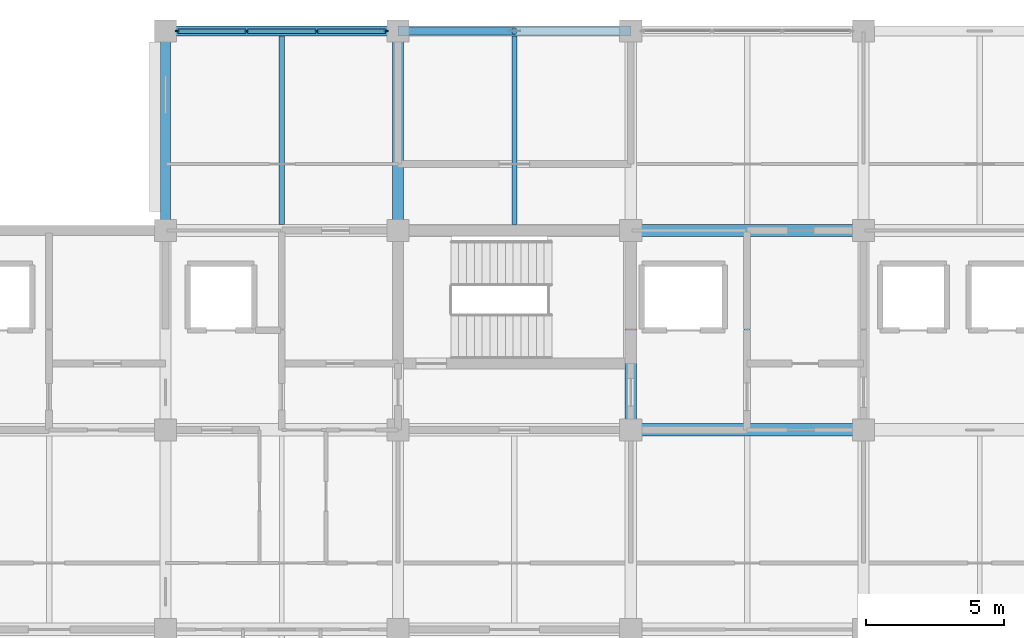
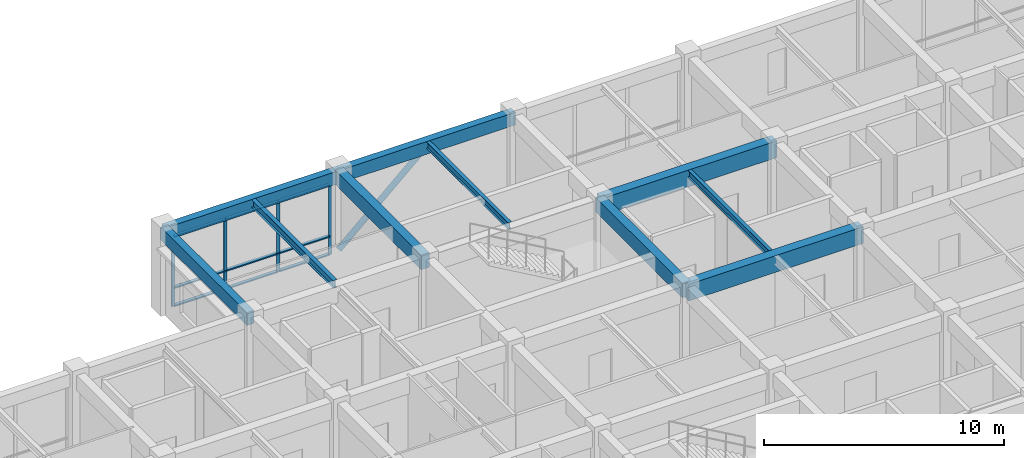
# One storey, part 10 of 40: 14 members, 10 beams, 1 element without a shape of its own.
"""IFC4 building model written with IfcOpenShell, lengths in metres."""

from ifc_helpers import new_model, si_unit, direction, frame, origin, origin_2d, place, context, subcontext, project, spatial, rectangle, hollow_circle, i_section, extrude, material, layer, layer_set, material_profile, profile_set, type_object, element, aggregate, save


model = new_model("IFC4")

# Units and contexts
model_context = context("Model", 3, precision=1e-05, world=origin(), true_north=direction((0.0, 1.0)))
body_context = subcontext(model_context, "Body", "Model", "MODEL_VIEW")
ifc_project = project(units=[si_unit("LENGTHUNIT", "METRE"), si_unit("AREAUNIT", "SQUARE_METRE"), si_unit("VOLUMEUNIT", "CUBIC_METRE"), si_unit("PLANEANGLEUNIT", "RADIAN"), si_unit("MASSUNIT", "GRAM", prefix="KILO")], contexts=[model_context])

# Site, building, storey
site_placement = place(None, origin())
site = spatial("IfcSite", under=ifc_project, at=site_placement, CompositionType="ELEMENT")
building_placement = place(site_placement, origin())
building = spatial("IfcBuilding", under=site, at=building_placement, Name="Chengyuan Square Courthouse", CompositionType="ELEMENT")
storey_placement = place(building_placement, frame((0.0, 0.0, 21.60009765625)))
storey = spatial("IfcBuildingStorey", under=building, at=storey_placement, Name="L05", CompositionType="ELEMENT", Elevation=21.60009765625)

# Beams
ifc_material_1 = material(Name="Concrete C40", Category="concrete")
ifc_material_profile_1 = material_profile(ifc_material_1, rectangle(XDim=0.449951171875, YDim=0.85009765625, at=origin_2d()), Name="RC-BM-450x850")
ifc_profile_set_1 = profile_set([ifc_material_profile_1], Name="Concrete C40")
beam_type_1 = type_object("IfcBeamType", Name="BM-01", PredefinedType="USERDEFINED", material=ifc_profile_set_1)
for number, where, z_axis, x_axis, name in (
    (1, (67.199951171875, 100.800048828125, 3.81494140625), (1.0, 0.0, 0.0), (0.0, 1.0, 0.0), "Girder BM-L05-3238"),
    (2, (67.199951171875, 108.0, 3.81494140625), (1.0, 0.0, 0.0), (0.0, 1.0, 0.0), "Girder BM-L05-3252"),
):
    element("IfcBeam", number, at=place(storey_placement, frame(where, z_axis=z_axis, x_axis=x_axis)), inside=storey, type_object=beam_type_1, Name=name, ObjectType="GIRDER", PredefinedType="USERDEFINED", context=body_context, shape_type="SweptSolid", body=[
        extrude(rectangle(XDim=0.449951171875, YDim=0.85009765625, at=origin_2d()), origin(), (0.0, 0.0, 1.0), 8.400146484375),
    ])
ifc_material_profile_2 = material_profile(ifc_material_1, rectangle(XDim=0.39990234375, YDim=0.75, at=origin_2d()), Name="RC-BM-400x750")
ifc_profile_set_2 = profile_set([ifc_material_profile_2], Name="Concrete C40")
beam_type_2 = type_object("IfcBeamType", Name="BM-02", PredefinedType="USERDEFINED", material=ifc_profile_set_2)
for number, where, z_axis, x_axis, name in (
    (3, (58.800048828125, 108.0, 3.864990234375), (0.0, 1.0, 0.0), (-1.0, 0.0, 0.0), "Girder BM-L05-3287"),
    (4, (67.199951171875, 100.800048828125, 3.864990234375), (0.0, 1.0, 0.0), (-1.0, 0.0, 0.0), "Girder BM-L05-3291"),
):
    element("IfcBeam", number, at=place(storey_placement, frame(where, z_axis=z_axis, x_axis=x_axis)), inside=storey, type_object=beam_type_2, Name=name, ObjectType="GIRDER", PredefinedType="USERDEFINED", context=body_context, shape_type="SweptSolid", body=[
        extrude(rectangle(XDim=0.39990234375, YDim=0.75, at=origin_2d()), origin(), (0.0, 0.0, 1.0), 7.199951171875),
    ])
ifc_material_profile_3 = material_profile(ifc_material_1, rectangle(XDim=0.35009765625, YDim=0.64990234375, at=origin_2d()), Name="RC-BM-350x650")
ifc_profile_set_3 = profile_set([ifc_material_profile_3], Name="Concrete C40")
beam_type_3 = type_object("IfcBeamType", Name="BM-03", PredefinedType="SPANDREL", material=ifc_profile_set_3)
beam_1_placement = place(storey_placement, frame((50.39990234375, 115.199951171875, 3.914794921875), z_axis=(1.0, 0.0, 0.0), x_axis=(0.0, 1.0, 0.0)))
element("IfcBeam", 5, at=beam_1_placement, inside=storey, type_object=beam_type_3, Name="Girder BM-L05-3261", PredefinedType="SPANDREL", context=body_context, shape_type="SweptSolid", body=[
    extrude(rectangle(XDim=0.35009765625, YDim=0.64990234375, at=origin_2d()), origin(), (0.0, 0.0, 1.0), 8.400146484375),
])
beam_2_placement = place(storey_placement, frame((58.800048828125, 115.199951171875, 3.914794921875), z_axis=(1.0, 0.0, 0.0), x_axis=(0.0, 1.0, 0.0)))
element("IfcBeam", 6, at=beam_2_placement, inside=storey, type_object=beam_type_3, Name="Girder BM-L05-3262", PredefinedType="SPANDREL", context=body_context, shape_type="SweptSolid", body=[
    extrude(rectangle(XDim=0.35009765625, YDim=0.64990234375, at=origin_2d()), origin(), (0.0, 0.0, 1.0), 8.39990234375),
])
beam_3_placement = place(storey_placement, frame((50.39990234375, 108.0, 3.914794921875), z_axis=(0.0, 1.0, 0.0), x_axis=(-1.0, 0.0, 0.0)))
element("IfcBeam", 7, at=beam_3_placement, inside=storey, type_object=beam_type_3, Name="Girder BM-L05-3282", PredefinedType="SPANDREL", context=body_context, shape_type="SweptSolid", body=[
    extrude(rectangle(XDim=0.35009765625, YDim=0.64990234375, at=origin_2d()), origin(), (0.0, 0.0, 1.0), 7.199951171875),
])
ifc_material_2 = material(Name="Steel Q355B", Category="steel")
ifc_material_profile_4 = material_profile(ifc_material_2, i_section(OverallWidth=0.199951171875, OverallDepth=0.39990234375, WebThickness=0.008056640625, FlangeThickness=0.012939453125, at=origin_2d()), Name="HN 400x200x8x13")
ifc_profile_set_4 = profile_set([ifc_material_profile_4], Name="Steel Q355B")
beam_type_4 = type_object("IfcBeamType", Name="BM-07", PredefinedType="BEAM", material=ifc_profile_set_4)
beam_4_placement = place(storey_placement, frame((54.60009765625, 108.22509765625, 4.039794921875), z_axis=(0.0, 1.0, 0.0), x_axis=(-1.0, 0.0, 0.0)))
element("IfcBeam", 8, at=beam_4_placement, inside=storey, type_object=beam_type_4, Name="Secondary Floor Beam SBM-L05-3347", PredefinedType="BEAM", context=body_context, shape_type="SweptSolid", body=[
    extrude(i_section(OverallWidth=0.199951171875, OverallDepth=0.39990234375, WebThickness=0.008056640625, FlangeThickness=0.012939453125, at=origin_2d()), origin(), (0.0, 0.0, 1.0), 6.7998046875),
])
ifc_material_profile_5 = material_profile(ifc_material_2, i_section(OverallWidth=0.175048828125, OverallDepth=0.35009765625, WebThickness=0.007080078125, FlangeThickness=0.010986328125, at=origin_2d()), Name="HN 350x175x7x11")
ifc_profile_set_5 = profile_set([ifc_material_profile_5], Name="Steel Q355B")
beam_type_5 = type_object("IfcBeamType", Name="BM-08", PredefinedType="BEAM", material=ifc_profile_set_5)
beam_5_placement = place(storey_placement, frame((63.0, 108.22509765625, 4.06494140625), z_axis=(0.0, 1.0, 0.0), x_axis=(-1.0, 0.0, 0.0)))
element("IfcBeam", 9, at=beam_5_placement, inside=storey, type_object=beam_type_5, Name="Secondary Floor Beam SBM-L05-3350", PredefinedType="BEAM", context=body_context, shape_type="SweptSolid", body=[
    extrude(i_section(OverallWidth=0.175048828125, OverallDepth=0.35009765625, WebThickness=0.007080078125, FlangeThickness=0.010986328125, at=origin_2d()), origin(), (0.0, 0.0, 1.0), 6.7998046875),
])
beam_6_placement = place(storey_placement, frame((71.39990234375, 101.02490234375, 4.06494140625), z_axis=(0.0, 1.0, 0.0), x_axis=(-1.0, 0.0, 0.0)))
element("IfcBeam", 10, at=beam_6_placement, inside=storey, type_object=beam_type_5, Name="Secondary Floor Beam SBM-L05-3353", PredefinedType="BEAM", context=body_context, shape_type="SweptSolid", body=[
    extrude(i_section(OverallWidth=0.175048828125, OverallDepth=0.35009765625, WebThickness=0.007080078125, FlangeThickness=0.010986328125, at=origin_2d()), origin(), (0.0, 0.0, 1.0), 6.75),
])

# Member
ifc_material_profile_6 = material_profile(ifc_material_2, hollow_circle(Radius=0.136474609375, WallThickness=0.010009765625, at=origin_2d()), Name="CHS 273x10")
ifc_profile_set_6 = profile_set([ifc_material_profile_6], Name="Steel Q355B")
member_type_1 = type_object("IfcMemberType", Name="BR-01", PredefinedType="BRACE", material=ifc_profile_set_6)
member_1_placement = place(storey_placement, frame((58.800048828125, 115.199951171875, 0.099853515625), z_axis=(0.742407252639, 0.0, 0.669948857174), x_axis=(0.0, 1.0, 0.0)))
element("IfcMember", 11, at=member_1_placement, inside=storey, type_object=member_type_1, Name="Steel Chevron Brace BR-L05-017", PredefinedType="BRACE", context=body_context, shape_type="SweptSolid", body=[
    extrude(hollow_circle(Radius=0.136474609375, WallThickness=0.010009765625, at=origin_2d()), origin(), (0.0, 0.0, 1.0), 5.6572265625),
])

# Curtain wall, members
ifc_material_3 = material(Name="Unitised Aluminium and Triple Low-E Glass", Category="aluminium")
ifc_layer = layer(ifc_material_3, 0.159912109375)
ifc_layer_set = layer_set([ifc_layer], Name="Unitised Aluminium and Triple Low-E Glass")
curtain_wall_type = type_object("IfcCurtainWallType", Name="CW-13", PredefinedType="USERDEFINED", material=ifc_layer_set)
curtain_wall_placement = place(storey_placement, origin())
curtain_wall = element("IfcCurtainWall", 12, at=curtain_wall_placement, inside=storey, type_object=curtain_wall_type, Name="Unitised Curtain Wall CW-L05-169", ObjectType="UNITISED CURTAIN WALL", PredefinedType="USERDEFINED")
ifc_material_4 = material(Name="Aluminium 6063-T6 Frame", Category="aluminium")
ifc_material_profile_7 = material_profile(ifc_material_4, rectangle(XDim=0.06005859375, YDim=0.159912109375, at=origin_2d()), Name="CW-MUL-60x160")
ifc_profile_set_7 = profile_set([ifc_material_profile_7], Name="Aluminium 6063-T6 Frame")
member_type_2 = type_object("IfcMemberType", Name="CWM-01", PredefinedType="MULLION", material=ifc_profile_set_7)
member_2_placement = place(storey_placement, frame((50.830078125, 115.199951171875, 0.0), z_axis=(0.0, 0.0, 1.0), x_axis=(0.0, 1.0, 0.0)))
member_2 = element("IfcMember", 13, at=member_2_placement, type_object=member_type_2, Name="CW-13 mullion 1", PredefinedType="MULLION", context=body_context, shape_type="SweptSolid", body=[
    extrude(rectangle(XDim=0.06005859375, YDim=0.159912109375, at=origin_2d()), origin(), (0.0, 0.0, 1.0), 3.58984375),
])
member_3_placement = place(storey_placement, frame((53.333251953125, 115.199951171875, 0.0), z_axis=(0.0, 0.0, 1.0), x_axis=(0.0, 1.0, 0.0)))
member_3 = element("IfcMember", 14, at=member_3_placement, type_object=member_type_2, Name="CW-13 mullion 2", PredefinedType="MULLION", context=body_context, shape_type="SweptSolid", body=[
    extrude(rectangle(XDim=0.06005859375, YDim=0.159912109375, at=origin_2d()), origin(), (0.0, 0.0, 1.0), 3.58984375),
])
member_4_placement = place(storey_placement, frame((55.86669921875, 115.199951171875, 0.0), z_axis=(0.0, 0.0, 1.0), x_axis=(0.0, 1.0, 0.0)))
member_4 = element("IfcMember", 15, at=member_4_placement, type_object=member_type_2, Name="CW-13 mullion 3", PredefinedType="MULLION", context=body_context, shape_type="SweptSolid", body=[
    extrude(rectangle(XDim=0.06005859375, YDim=0.159912109375, at=origin_2d()), origin(), (0.0, 0.0, 1.0), 3.58984375),
])
member_5_placement = place(storey_placement, frame((58.3701171875, 115.199951171875, 0.0), z_axis=(0.0, 0.0, 1.0), x_axis=(0.0, 1.0, 0.0)))
member_5 = element("IfcMember", 16, at=member_5_placement, type_object=member_type_2, Name="CW-13 mullion 4", PredefinedType="MULLION", context=body_context, shape_type="SweptSolid", body=[
    extrude(rectangle(XDim=0.06005859375, YDim=0.159912109375, at=origin_2d()), origin(), (0.0, 0.0, 1.0), 3.58984375),
])
ifc_material_profile_8 = material_profile(ifc_material_4, rectangle(XDim=0.159912109375, YDim=0.06005859375, at=origin_2d()), Name="CW-TRN-60x120")
ifc_profile_set_8 = profile_set([ifc_material_profile_8], Name="Aluminium 6063-T6 Frame")
member_type_3 = type_object("IfcMemberType", Name="CWT-01", PredefinedType="USERDEFINED", material=ifc_profile_set_8)
member_6_placement = place(storey_placement, frame((50.860107421875, 115.199951171875, 0.02978515625), z_axis=(1.0, 0.0, 0.0), x_axis=(0.0, 1.0, 0.0)))
member_6 = element("IfcMember", 17, at=member_6_placement, type_object=member_type_3, Name="CW-13 transom 1.1", ObjectType="TRANSOM", PredefinedType="USERDEFINED", context=body_context, shape_type="SweptSolid", body=[
    extrude(rectangle(XDim=0.159912109375, YDim=0.06005859375, at=origin_2d()), origin(), (0.0, 0.0, 1.0), 2.443115234375),
])
member_7_placement = place(storey_placement, frame((50.860107421875, 115.199951171875, 0.949951171875), z_axis=(1.0, 0.0, 0.0), x_axis=(0.0, 1.0, 0.0)))
member_7 = element("IfcMember", 18, at=member_7_placement, type_object=member_type_3, Name="CW-13 transom 1.2", ObjectType="TRANSOM", PredefinedType="USERDEFINED", context=body_context, shape_type="SweptSolid", body=[
    extrude(rectangle(XDim=0.159912109375, YDim=0.06005859375, at=origin_2d()), origin(), (0.0, 0.0, 1.0), 2.443115234375),
])
member_8_placement = place(storey_placement, frame((50.860107421875, 115.199951171875, 3.559814453125), z_axis=(1.0, 0.0, 0.0), x_axis=(0.0, 1.0, 0.0)))
member_8 = element("IfcMember", 19, at=member_8_placement, type_object=member_type_3, Name="CW-13 transom 1.3", ObjectType="TRANSOM", PredefinedType="USERDEFINED", context=body_context, shape_type="SweptSolid", body=[
    extrude(rectangle(XDim=0.159912109375, YDim=0.06005859375, at=origin_2d()), origin(), (0.0, 0.0, 1.0), 2.443115234375),
])
member_9_placement = place(storey_placement, frame((53.36328125, 115.199951171875, 0.02978515625), z_axis=(1.0, 0.0, 0.0), x_axis=(0.0, 1.0, 0.0)))
member_9 = element("IfcMember", 20, at=member_9_placement, type_object=member_type_3, Name="CW-13 transom 2.1", ObjectType="TRANSOM", PredefinedType="USERDEFINED", context=body_context, shape_type="SweptSolid", body=[
    extrude(rectangle(XDim=0.159912109375, YDim=0.06005859375, at=origin_2d()), origin(), (0.0, 0.0, 1.0), 2.473388671875),
])
member_10_placement = place(storey_placement, frame((53.36328125, 115.199951171875, 0.949951171875), z_axis=(1.0, 0.0, 0.0), x_axis=(0.0, 1.0, 0.0)))
member_10 = element("IfcMember", 21, at=member_10_placement, type_object=member_type_3, Name="CW-13 transom 2.2", ObjectType="TRANSOM", PredefinedType="USERDEFINED", context=body_context, shape_type="SweptSolid", body=[
    extrude(rectangle(XDim=0.159912109375, YDim=0.06005859375, at=origin_2d()), origin(), (0.0, 0.0, 1.0), 2.473388671875),
])
member_11_placement = place(storey_placement, frame((53.36328125, 115.199951171875, 3.559814453125), z_axis=(1.0, 0.0, 0.0), x_axis=(0.0, 1.0, 0.0)))
member_11 = element("IfcMember", 22, at=member_11_placement, type_object=member_type_3, Name="CW-13 transom 2.3", ObjectType="TRANSOM", PredefinedType="USERDEFINED", context=body_context, shape_type="SweptSolid", body=[
    extrude(rectangle(XDim=0.159912109375, YDim=0.06005859375, at=origin_2d()), origin(), (0.0, 0.0, 1.0), 2.473388671875),
])
member_12_placement = place(storey_placement, frame((55.896728515625, 115.199951171875, 0.02978515625), z_axis=(1.0, 0.0, 0.0), x_axis=(0.0, 1.0, 0.0)))
member_12 = element("IfcMember", 23, at=member_12_placement, type_object=member_type_3, Name="CW-13 transom 3.1", ObjectType="TRANSOM", PredefinedType="USERDEFINED", context=body_context, shape_type="SweptSolid", body=[
    extrude(rectangle(XDim=0.159912109375, YDim=0.06005859375, at=origin_2d()), origin(), (0.0, 0.0, 1.0), 2.443359375),
])
member_13_placement = place(storey_placement, frame((55.896728515625, 115.199951171875, 0.949951171875), z_axis=(1.0, 0.0, 0.0), x_axis=(0.0, 1.0, 0.0)))
member_13 = element("IfcMember", 24, at=member_13_placement, type_object=member_type_3, Name="CW-13 transom 3.2", ObjectType="TRANSOM", PredefinedType="USERDEFINED", context=body_context, shape_type="SweptSolid", body=[
    extrude(rectangle(XDim=0.159912109375, YDim=0.06005859375, at=origin_2d()), origin(), (0.0, 0.0, 1.0), 2.443359375),
])
member_14_placement = place(storey_placement, frame((55.896728515625, 115.199951171875, 3.559814453125), z_axis=(1.0, 0.0, 0.0), x_axis=(0.0, 1.0, 0.0)))
member_14 = element("IfcMember", 25, at=member_14_placement, type_object=member_type_3, Name="CW-13 transom 3.3", ObjectType="TRANSOM", PredefinedType="USERDEFINED", context=body_context, shape_type="SweptSolid", body=[
    extrude(rectangle(XDim=0.159912109375, YDim=0.06005859375, at=origin_2d()), origin(), (0.0, 0.0, 1.0), 2.443359375),
])
aggregate(curtain_wall, [member_2, member_3, member_4, member_5, member_6, member_7, member_8, member_9, member_10, member_11, member_12, member_13, member_14])

save(model, "model.ifc")
